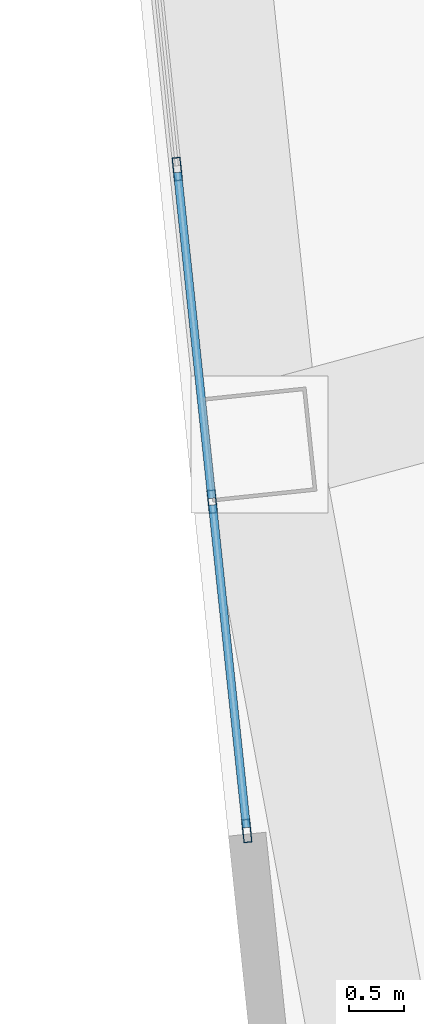
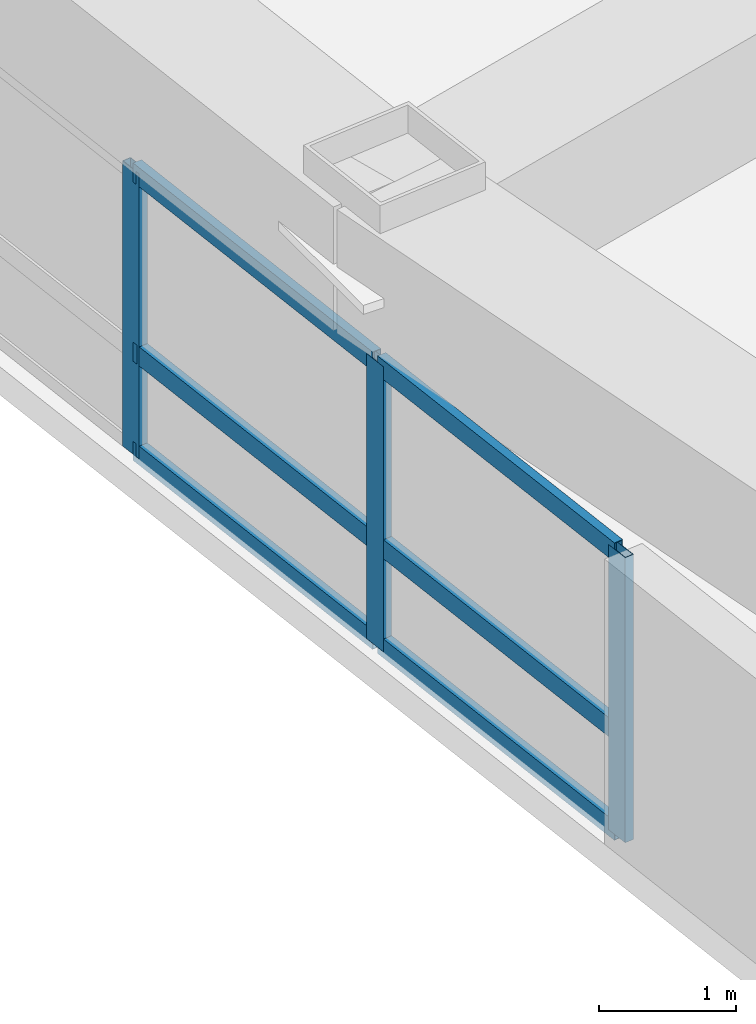
# One storey, part 2 of 14: 9 members, 1 element without a shape of its own.
"""IFC4 building model written with IfcOpenShell, lengths in metres."""

import ifcopenshell
import ifcopenshell.guid

model = None  # the IFC model being written
_history = None  # IfcOwnerHistory: only IFC2X3 demands one
_inside = {}  # id of a spatial element -> (the spatial element, [elements in it])
_under = {}  # id of a project, library or spatial element -> (it, [spatial elements below it])
_declared = {}  # id of a project -> (the project, [libraries it declares])
_typed = {}  # id of a type object -> (the type object, [elements of that type])
_made_of = {}  # id of a material, layer set ... -> (it, [elements and type objects made of it])


def new_model(schema):
    """Start an empty IFC model of exactly this schema.

    Asked for "IFC4X3", IfcOpenShell would pick the latest addendum, in which some entities
    have other attributes; the version numbers below select the first issue.
    IFC2X3 requires an IfcOwnerHistory on every rooted entity: one is made here for all.
    """
    global model, _history
    if schema == "IFC4X3":
        model = ifcopenshell.file(schema_version=(4, 3, 0, 0))
    else:
        model = ifcopenshell.file(schema=schema)
    _inside.clear()
    _under.clear()
    _declared.clear()
    _typed.clear()
    _made_of.clear()
    _history = None
    if model.schema == "IFC2X3":
        org = make("IfcOrganization", Name="unknown")
        user = make(
            "IfcPersonAndOrganization",
            ThePerson=make("IfcPerson", FamilyName="unknown"),
            TheOrganization=org,
        )
        app = make(
            "IfcApplication",
            ApplicationDeveloper=org,
            Version="unknown",
            ApplicationFullName="unknown",
            ApplicationIdentifier="unknown",
        )
        _history = make(
            "IfcOwnerHistory",
            OwningUser=user,
            OwningApplication=app,
            ChangeAction="ADDED",
            CreationDate=0,
        )
    return model


def make(cls, **values):
    """One entity of the class cls with the attributes given. An attribute that is None is left unset."""
    return model.create_entity(
        cls, **{name: value for name, value in values.items() if value is not None}
    )


def rooted(cls, **values):
    """An entity with a GlobalId (a new one), such as an element, a storey or a relation."""
    return make(cls, GlobalId=ifcopenshell.guid.new(), OwnerHistory=_history, **values)


def si_unit(unit_type, name, prefix=None):
    """IfcSIUnit, for example si_unit("LENGTHUNIT", "METRE", prefix="MILLI")."""
    return make("IfcSIUnit", UnitType=unit_type, Prefix=prefix, Name=name)


def assignment(units):
    """IfcUnitAssignment: the units of a project."""
    return None if units is None else make("IfcUnitAssignment", Units=units)


def point(xyz):
    """IfcCartesianPoint."""
    return None if xyz is None else make("IfcCartesianPoint", Coordinates=xyz)


def direction(xyz):
    """IfcDirection."""
    return None if xyz is None else make("IfcDirection", DirectionRatios=xyz)


def frame(location, z_axis=None, x_axis=None):
    """IfcAxis2Placement3D, a coordinate frame: its origin and axes. An axis left out is left unset."""
    return make(
        "IfcAxis2Placement3D",
        Location=point(location),
        Axis=direction(z_axis),
        RefDirection=direction(x_axis),
    )


def frame_2d(location, x_axis=None):
    """IfcAxis2Placement2D, a coordinate frame in the plane: its origin and x axis."""
    return make(
        "IfcAxis2Placement2D", Location=point(location), RefDirection=direction(x_axis)
    )


def origin():
    """The frame at (0, 0, 0) with its axes left unset."""
    return frame((0.0, 0.0, 0.0))


def origin_2d():
    """The frame at (0, 0) in the plane with its x axis left unset."""
    return frame_2d((0.0, 0.0))


def place(relative_to, where):
    """IfcLocalPlacement: puts the frame where relative to a parent placement (None: the world)."""
    return make(
        "IfcLocalPlacement", PlacementRelTo=relative_to, RelativePlacement=where
    )


def context(
    kind, dimensions, precision=None, world=None, true_north=None, identifier=None
):
    """IfcGeometricRepresentationContext, for example the 3D "Model" context."""
    return make(
        "IfcGeometricRepresentationContext",
        ContextIdentifier=identifier,
        ContextType=kind,
        CoordinateSpaceDimension=dimensions,
        Precision=precision,
        WorldCoordinateSystem=world,
        TrueNorth=true_north,
    )


def subcontext(parent, identifier, kind, view, scale=None):
    """IfcGeometricRepresentationSubContext, for example "Body" below "Model"."""
    return make(
        "IfcGeometricRepresentationSubContext",
        ContextIdentifier=identifier,
        ContextType=kind,
        ParentContext=parent,
        TargetScale=scale,
        TargetView=view,
    )


def project(units=None, contexts=None):
    """IfcProject with its units and contexts."""
    return rooted(
        "IfcProject",
        Name="project",
        RepresentationContexts=contexts,
        UnitsInContext=assignment(units),
    )


def spatial(cls, under=None, at=None, **own):
    """A site, building, storey or space (cls), placed at a placement, below another one or the project."""
    s = rooted(cls, ObjectPlacement=at, **own)
    if under is not None:
        _under.setdefault(under.id(), (under, []))[1].append(s)
    return s


def profile(cls, at=None, kind="AREA", **sizes):
    """A parametric profile (cls). Its sizes go by their IFC names, for example OverallWidth=200.0."""
    return make(cls, ProfileType=kind, Position=at, **sizes)


def hollow_rectangle(**sizes):
    """IfcRectangleHollowProfileDef."""
    return profile("IfcRectangleHollowProfileDef", **sizes)


def extrude(swept, where, along, depth):
    """IfcExtrudedAreaSolid: the profile swept, set in the frame where, extruded along a direction by depth."""
    return make(
        "IfcExtrudedAreaSolid",
        SweptArea=swept,
        Position=where,
        ExtrudedDirection=direction(along),
        Depth=depth,
    )


def shape(context_of_items, identifier, shape_type, items):
    """IfcShapeRepresentation: the items that make up one representation, for example the "Body"."""
    return make(
        "IfcShapeRepresentation",
        ContextOfItems=context_of_items,
        RepresentationIdentifier=identifier,
        RepresentationType=shape_type,
        Items=items,
    )


def material(Name=None, Category=None):
    """IfcMaterial."""
    return make("IfcMaterial", Name=Name, Category=Category)


def layer(
    of_material, thickness, ventilated=None, Name=None, Category=None, Priority=None
):
    """IfcMaterialLayer: one layer of a wall or slab, of a material (None: an air gap)."""
    return make(
        "IfcMaterialLayer",
        Material=of_material,
        LayerThickness=thickness,
        IsVentilated=ventilated,
        Name=Name,
        Category=Category,
        Priority=Priority,
    )


def layer_set(layers, Name=None):
    """IfcMaterialLayerSet."""
    return make("IfcMaterialLayerSet", MaterialLayers=layers, LayerSetName=Name)


def material_profile(
    of_material, cross_section, Name=None, Category=None, Priority=None
):
    """IfcMaterialProfile: a cross section and its material."""
    return make(
        "IfcMaterialProfile",
        Name=Name,
        Material=of_material,
        Profile=cross_section,
        Priority=Priority,
        Category=Category,
    )


def profile_set(profiles, Name=None, composite=None):
    """IfcMaterialProfileSet."""
    return make(
        "IfcMaterialProfileSet",
        Name=Name,
        MaterialProfiles=profiles,
        CompositeProfile=composite,
    )


def made_of(thing, what):
    """Note that an element or type object is made of a material, layer set ...; save() writes the relation."""
    if what is not None:
        _made_of.setdefault(what.id(), (what, []))[1].append(thing)
    return thing


def type_object(cls, material=None, **own):
    """A type object (cls), such as IfcWallType, which elements share."""
    return made_of(rooted(cls, **own), material)


def element(
    cls,
    number,
    at=None,
    inside=None,
    cuts=None,
    type_object=None,
    material=None,
    context=None,
    identifier="Body",
    shape_type=None,
    held_by="IfcProductDefinitionShape",
    body=None,
    shapes=None,
    **own,
):
    """One element of the class cls, such as IfcWall. Its Tag is "e" and its number.

    at: its placement. inside: the storey or other place that contains it. cuts: it is an
    opening in that element (IfcRelVoidsElement). A single representation is given by context,
    identifier, shape_type and body (its items); several are given by shapes. held_by: the class
    of the entity that holds the representations. save() writes the other relations.
    """
    e = rooted(cls, Tag="e%d" % number, ObjectPlacement=at, **own)
    if body is not None:
        shapes = [shape(context, identifier, shape_type, body)]
    if shapes is not None:
        e.Representation = make(held_by, Representations=shapes)
    if inside is not None:
        _inside.setdefault(inside.id(), (inside, []))[1].append(e)
    if cuts is not None:
        rooted(
            "IfcRelVoidsElement", RelatingBuildingElement=cuts, RelatedOpeningElement=e
        )
    if type_object is not None:
        _typed.setdefault(type_object.id(), (type_object, []))[1].append(e)
    return made_of(e, material)


def aggregate(whole, parts):
    """IfcRelAggregates: a whole, such as a stair, and the parts it consists of."""
    return rooted("IfcRelAggregates", RelatingObject=whole, RelatedObjects=parts)


def save(model, path):
    """Write the relations noted so far, then the file.

    IfcRelAggregates (storeys below a building ...), IfcRelContainedInSpatialStructure (elements
    in a storey), IfcRelDefinesByType, IfcRelAssociatesMaterial and IfcRelDeclares: one each for
    every whole, place, type object, material and project.
    """
    for whole, parts in _under.values():
        aggregate(whole, parts)
    for where, things in _inside.values():
        rooted(
            "IfcRelContainedInSpatialStructure",
            RelatedElements=things,
            RelatingStructure=where,
        )
    for kind, things in _typed.values():
        rooted("IfcRelDefinesByType", RelatedObjects=things, RelatingType=kind)
    for what, things in _made_of.values():
        rooted("IfcRelAssociatesMaterial", RelatedObjects=things, RelatingMaterial=what)
    for by, libraries in _declared.values():
        rooted("IfcRelDeclares", RelatingContext=by, RelatedDefinitions=libraries)
    model.write(path)


model = new_model("IFC4")

# Units and contexts
model_context = context("Model", 3, precision=1e-05, world=origin(), true_north=direction((0.0, 1.0)))
body_context = subcontext(model_context, "Body", "Model", "MODEL_VIEW")
ifc_project = project(units=[si_unit("LENGTHUNIT", "METRE"), si_unit("AREAUNIT", "SQUARE_METRE"), si_unit("VOLUMEUNIT", "CUBIC_METRE"), si_unit("PLANEANGLEUNIT", "RADIAN"), si_unit("MASSUNIT", "GRAM", prefix="KILO")], contexts=[model_context])

# Site, building, storey
site_placement = place(None, origin())
site = spatial("IfcSite", under=ifc_project, at=site_placement, CompositionType="ELEMENT")
building_placement = place(site_placement, origin())
building = spatial("IfcBuilding", under=site, at=building_placement, Name="Voryun Gate Residences", CompositionType="ELEMENT")
storey_placement = place(building_placement, frame((0.0, 0.0, 144.300048828125)))
storey = spatial("IfcBuildingStorey", under=building, at=storey_placement, Name="L35", CompositionType="ELEMENT", Elevation=144.300048828125)

# Curtain wall, members
ifc_material_1 = material(Name="Anodised aluminium", Category="aluminium")
ifc_layer = layer(ifc_material_1, 0.2099609375, Name="CW_SYS_SKYGARDEN_DARK_GLASS")
ifc_layer_set = layer_set([ifc_layer], Name="Anodised aluminium")
curtain_wall_type = type_object("IfcCurtainWallType", Name="CW_SYS_SKYGARDEN_DARK_GLASS", PredefinedType="NOTDEFINED", material=ifc_layer_set)
curtain_wall_placement = place(storey_placement, origin())
curtain_wall = element("IfcCurtainWall", 1, at=curtain_wall_placement, inside=storey, type_object=curtain_wall_type, Name="Curtain wall CW5-L35-SG-06", PredefinedType="NOTDEFINED")
ifc_material_2 = material(Name="Anodised aluminium", Category="aluminium")
ifc_material_profile_1 = material_profile(ifc_material_2, hollow_rectangle(XDim=0.074951171875, YDim=0.2099609375, WallThickness=0.0048828125, at=origin_2d()), Name="ALU-MULL-210x75x5")
ifc_profile_set_1 = profile_set([ifc_material_profile_1], Name="Anodised aluminium")
member_type_1 = type_object("IfcMemberType", Name="CW_MULL_SKY", PredefinedType="MULLION", material=ifc_profile_set_1)
member_1_placement = place(storey_placement, frame((-31.5615234375, -14.222412109375, 0.0), z_axis=(0.0, 0.0, 1.0), x_axis=(-0.994521755433, -0.104529794654, 0.0)))
member_1 = element("IfcMember", 2, at=member_1_placement, type_object=member_type_1, Name="CW5 mullion 1", PredefinedType="MULLION", context=body_context, shape_type="SweptSolid", body=[
    extrude(hollow_rectangle(XDim=0.074951171875, YDim=0.2099609375, WallThickness=0.0048828125, at=origin_2d()), origin(), (0.0, 0.0, 1.0), 2.5400390625),
])
member_2_placement = place(storey_placement, frame((-31.875244140625, -11.236572265625, 0.0), z_axis=(0.0, 0.0, 1.0), x_axis=(-0.994521755433, -0.104529794654, 0.0)))
member_2 = element("IfcMember", 3, at=member_2_placement, type_object=member_type_1, Name="CW5 mullion 2", PredefinedType="MULLION", context=body_context, shape_type="SweptSolid", body=[
    extrude(hollow_rectangle(XDim=0.074951171875, YDim=0.2099609375, WallThickness=0.0048828125, at=origin_2d()), origin(), (0.0, 0.0, 1.0), 2.5400390625),
])
member_3_placement = place(storey_placement, frame((-32.192138671875, -8.220703125, 0.0), z_axis=(0.0, 0.0, 1.0), x_axis=(-0.994521755433, -0.104529794654, 0.0)))
member_3 = element("IfcMember", 4, at=member_3_placement, type_object=member_type_1, Name="CW5 mullion 3", PredefinedType="MULLION", context=body_context, shape_type="SweptSolid", body=[
    extrude(hollow_rectangle(XDim=0.074951171875, YDim=0.2099609375, WallThickness=0.0048828125, at=origin_2d()), origin(), (0.0, 0.0, 1.0), 2.5400390625),
])
ifc_material_3 = material(Name="Anodised aluminium", Category="aluminium")
ifc_material_profile_2 = material_profile(ifc_material_3, hollow_rectangle(XDim=0.074951171875, YDim=0.169921875, WallThickness=0.0048828125, at=origin_2d()), Name="ALU-TRAN-170x75x5")
ifc_profile_set_2 = profile_set([ifc_material_profile_2], Name="Anodised aluminium")
member_type_2 = type_object("IfcMemberType", Name="CW_TRAN_SKY", PredefinedType="USERDEFINED", material=ifc_profile_set_2)
member_4_placement = place(storey_placement, frame((-31.564453125, -14.192626953125, 0.030029296875), z_axis=(-0.104546570168, 0.99451999209, 0.0), x_axis=(-0.99451999209, -0.104546570168, 0.0)))
member_4 = element("IfcMember", 5, at=member_4_placement, type_object=member_type_2, Name="CW5 transom 1.1", ObjectType="TRANSOM", PredefinedType="USERDEFINED", context=body_context, shape_type="SweptSolid", body=[
    extrude(hollow_rectangle(XDim=0.074951171875, YDim=0.169921875, WallThickness=0.0048828125, at=origin_2d()), origin(), (0.0, 0.0, 1.0), 2.9423828125),
])
member_5_placement = place(storey_placement, frame((-31.564453125, -14.192626953125, 0.914306640625), z_axis=(-0.104546570168, 0.99451999209, 0.0), x_axis=(-0.99451999209, -0.104546570168, 0.0)))
member_5 = element("IfcMember", 6, at=member_5_placement, type_object=member_type_2, Name="CW5 transom 1.2", ObjectType="TRANSOM", PredefinedType="USERDEFINED", context=body_context, shape_type="SweptSolid", body=[
    extrude(hollow_rectangle(XDim=0.074951171875, YDim=0.169921875, WallThickness=0.0048828125, at=origin_2d()), origin(), (0.0, 0.0, 1.0), 2.9423828125),
])
member_6_placement = place(storey_placement, frame((-31.564453125, -14.192626953125, 2.510009765625), z_axis=(-0.104546570168, 0.99451999209, 0.0), x_axis=(-0.99451999209, -0.104546570168, 0.0)))
member_6 = element("IfcMember", 7, at=member_6_placement, type_object=member_type_2, Name="CW5 transom 1.3", ObjectType="TRANSOM", PredefinedType="USERDEFINED", context=body_context, shape_type="SweptSolid", body=[
    extrude(hollow_rectangle(XDim=0.074951171875, YDim=0.169921875, WallThickness=0.0048828125, at=origin_2d()), origin(), (0.0, 0.0, 1.0), 2.9423828125),
])
member_7_placement = place(storey_placement, frame((-31.87841796875, -11.206787109375, 0.030029296875), z_axis=(-0.104560790128, 0.994518497147, 0.0), x_axis=(-0.994518497147, -0.104560790128, 0.0)))
member_7 = element("IfcMember", 8, at=member_7_placement, type_object=member_type_2, Name="CW5 transom 2.1", ObjectType="TRANSOM", PredefinedType="USERDEFINED", context=body_context, shape_type="SweptSolid", body=[
    extrude(hollow_rectangle(XDim=0.074951171875, YDim=0.169921875, WallThickness=0.0048828125, at=origin_2d()), origin(), (0.0, 0.0, 1.0), 2.972412109375),
])
member_8_placement = place(storey_placement, frame((-31.87841796875, -11.206787109375, 0.914306640625), z_axis=(-0.104560790128, 0.994518497147, 0.0), x_axis=(-0.994518497147, -0.104560790128, 0.0)))
member_8 = element("IfcMember", 9, at=member_8_placement, type_object=member_type_2, Name="CW5 transom 2.2", ObjectType="TRANSOM", PredefinedType="USERDEFINED", context=body_context, shape_type="SweptSolid", body=[
    extrude(hollow_rectangle(XDim=0.074951171875, YDim=0.169921875, WallThickness=0.0048828125, at=origin_2d()), origin(), (0.0, 0.0, 1.0), 2.972412109375),
])
member_9_placement = place(storey_placement, frame((-31.87841796875, -11.206787109375, 2.510009765625), z_axis=(-0.104560790128, 0.994518497147, 0.0), x_axis=(-0.994518497147, -0.104560790128, 0.0)))
member_9 = element("IfcMember", 10, at=member_9_placement, type_object=member_type_2, Name="CW5 transom 2.3", ObjectType="TRANSOM", PredefinedType="USERDEFINED", context=body_context, shape_type="SweptSolid", body=[
    extrude(hollow_rectangle(XDim=0.074951171875, YDim=0.169921875, WallThickness=0.0048828125, at=origin_2d()), origin(), (0.0, 0.0, 1.0), 2.972412109375),
])
aggregate(curtain_wall, [member_1, member_2, member_3, member_4, member_5, member_6, member_7, member_8, member_9])

save(model, "model.ifc")
